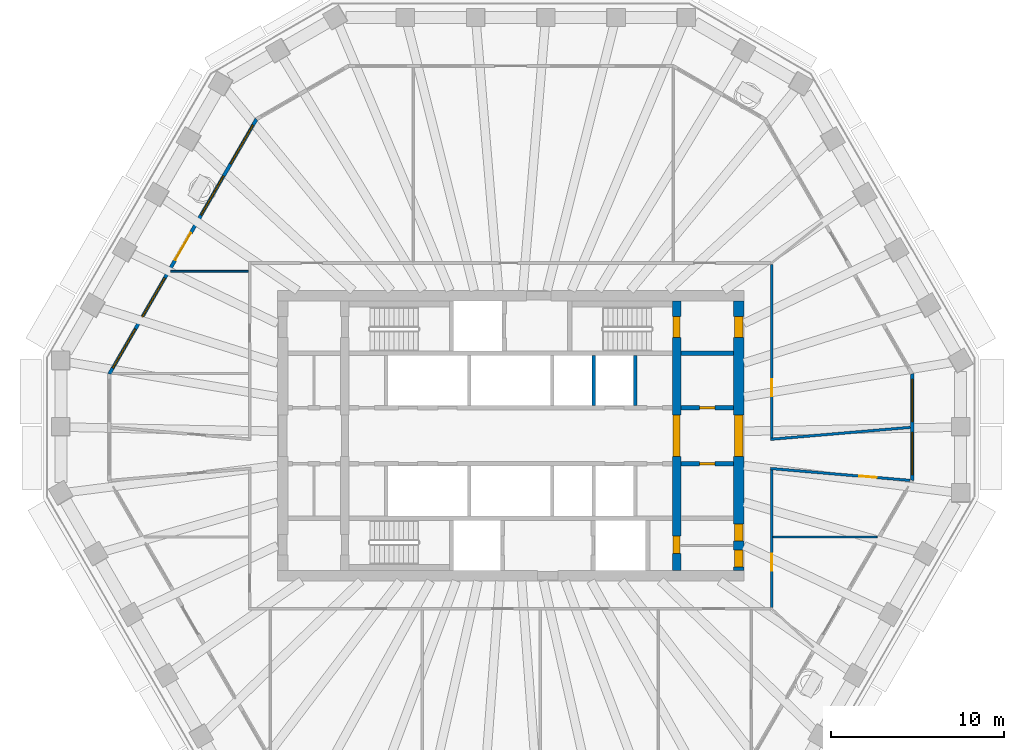
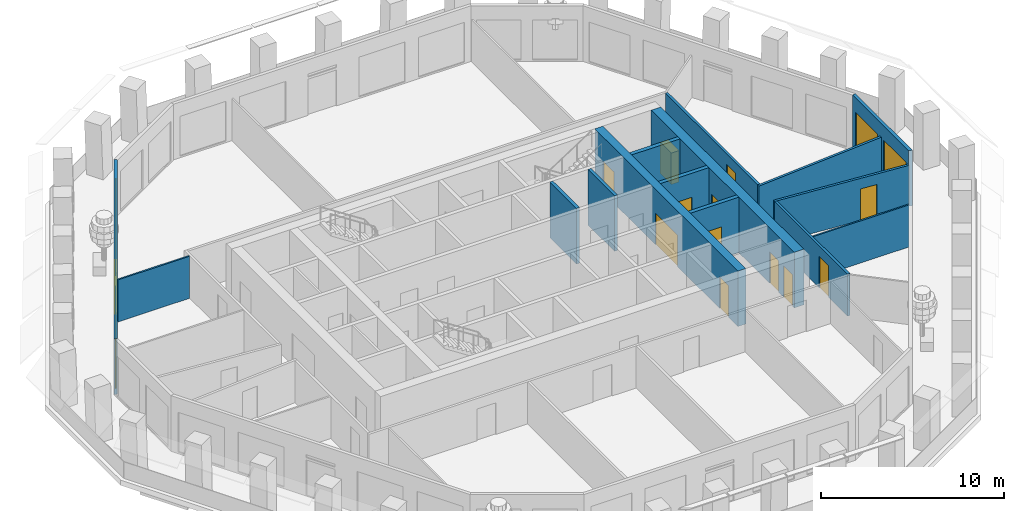
# One storey, part 6 of 12: 15 walls, 13 doors, 7 windows, 20 openings.
"""IFC4 building model written with IfcOpenShell, lengths in metres."""

from ifc_helpers import new_model, si_unit, direction, frame, frame_2d, origin, place, context, subcontext, project, spatial, polyline, rectangle, outline, extrude, material, layer, layer_set, type_object, element, fill, save


model = new_model("IFC4")

# Units and contexts
model_context = context("Model", 3, precision=1e-05, world=origin(), true_north=direction((0.0, 1.0)))
body_context = subcontext(model_context, "Body", "Model", "MODEL_VIEW")
ifc_project = project(units=[si_unit("LENGTHUNIT", "METRE"), si_unit("AREAUNIT", "SQUARE_METRE"), si_unit("VOLUMEUNIT", "CUBIC_METRE"), si_unit("PLANEANGLEUNIT", "RADIAN"), si_unit("MASSUNIT", "GRAM", prefix="KILO")], contexts=[model_context])

# Site, building, storey
site_placement = place(None, origin())
site = spatial("IfcSite", under=ifc_project, at=site_placement, CompositionType="ELEMENT")
building_placement = place(site_placement, origin())
building = spatial("IfcBuilding", under=site, at=building_placement, Name="Frailejon Research Tower", CompositionType="ELEMENT")
storey_placement = place(building_placement, frame((0.0, 0.0, 227.39990234375)))
storey = spatial("IfcBuildingStorey", under=building, at=storey_placement, Name="L49", CompositionType="ELEMENT", Elevation=227.39990234375)

# Wall, openings, doors
ifc_material_1 = material(Name="Concrete C60/75", Category="concrete")
ifc_layer_1 = layer(ifc_material_1, 0.5)
ifc_layer_set_1 = layer_set([ifc_layer_1], Name="Core shear wall 500 C60/75")
wall_type_1 = type_object("IfcWallType", Name="Core shear wall 500 C60/75", PredefinedType="SHEAR", material=ifc_layer_set_1)
wall_1_placement = place(storey_placement, frame((9.60009765625, -7.800048828125, 0.0), z_axis=(0.0, 0.0, 1.0), x_axis=(0.0, 1.0, 0.0)))
wall_1 = element("IfcWall", 1, at=wall_1_placement, inside=storey, type_object=wall_type_1, Name="Core shear wall", PredefinedType="SHEAR", context=body_context, shape_type="SweptSolid", body=[
    extrude(rectangle(XDim=15.60009765625, YDim=0.5, at=frame_2d((7.800048828125, 0.0))), origin(), (0.0, 0.0, 1.0), 3.7001953125),
])
opening_1_placement = place(wall_1_placement, frame((6.60009765625, 0.0, 0.0)))
opening_1 = element("IfcOpeningElement", 2, at=opening_1_placement, cuts=wall_1, Name="Opening D2", PredefinedType="OPENING", context=body_context, shape_type="SweptSolid", body=[
    extrude(rectangle(XDim=2.39990234375, YDim=2.10009765625, at=frame_2d((1.199951171875, 1.050048828125))), frame((0.0, 0.260009765625, 0.0), z_axis=(0.0, -1.0, 0.0), x_axis=(1.0, 0.0, 0.0)), (0.0, 0.0, 1.0), 0.52001953125),
])
opening_2_placement = place(wall_1_placement, frame((13.5, 0.0, 0.0)))
opening_2 = element("IfcOpeningElement", 3, at=opening_2_placement, cuts=wall_1, Name="Opening D1", PredefinedType="OPENING", context=body_context, shape_type="SweptSolid", body=[
    extrude(rectangle(XDim=1.199951171875, YDim=2.10009765625, at=frame_2d((0.60009765625, 1.050048828125))), frame((0.0, 0.260009765625, 0.0), z_axis=(0.0, -1.0, 0.0), x_axis=(1.0, 0.0, 0.0)), (0.0, 0.0, 1.0), 0.52001953125),
])
opening_3_placement = place(wall_1_placement, frame((1.0, 0.0, 0.0)))
opening_3 = element("IfcOpeningElement", 4, at=opening_3_placement, cuts=wall_1, Name="Opening D4", PredefinedType="OPENING", context=body_context, shape_type="SweptSolid", body=[
    extrude(rectangle(XDim=1.0, YDim=2.10009765625, at=frame_2d((0.5, 1.050048828125))), frame((0.0, 0.260009765625, 0.0), z_axis=(0.0, -1.0, 0.0), x_axis=(1.0, 0.0, 0.0)), (0.0, 0.0, 1.0), 0.52001953125),
])
ifc_material_2 = material(Name="Steel", Category="steel")
door_type_1 = type_object("IfcDoorType", Name="Lobby double door", OperationType="DOUBLE_DOOR_SINGLE_SWING", PredefinedType="DOOR", material=ifc_material_2)
door_1_placement = place(opening_1_placement, origin())
door_1 = element("IfcDoor", 5, at=door_1_placement, inside=storey, type_object=door_type_1, Name="Lobby door", OperationType="DOUBLE_DOOR_SINGLE_SWING", OverallHeight=2.10009765625, OverallWidth=2.39990234375, PredefinedType="DOOR", context=body_context, shape_type="SweptSolid", body=[
    extrude(rectangle(XDim=2.39990234375, YDim=2.10009765625, at=frame_2d((1.199951171875, 1.050048828125))), frame((0.0, 0.199951171875, 0.0), z_axis=(0.0, -1.0, 0.0), x_axis=(1.0, 0.0, 0.0)), (0.0, 0.0, 1.0), 0.39990234375),
])
fill(opening_1, door_1)
ifc_material_3 = material(Name="Steel", Category="steel")
door_type_2 = type_object("IfcDoorType", Name="Service door", OperationType="SINGLE_SWING_LEFT", PredefinedType="DOOR", material=ifc_material_3)
door_2_placement = place(opening_3_placement, origin())
door_2 = element("IfcDoor", 6, at=door_2_placement, inside=storey, type_object=door_type_2, Name="Riser door", OperationType="SINGLE_SWING_LEFT", OverallHeight=2.10009765625, OverallWidth=1.0, PredefinedType="DOOR", context=body_context, shape_type="SweptSolid", body=[
    extrude(rectangle(XDim=1.0, YDim=2.10009765625, at=frame_2d((0.5, 1.050048828125))), frame((0.0, 0.199951171875, 0.0), z_axis=(0.0, -1.0, 0.0), x_axis=(1.0, 0.0, 0.0)), (0.0, 0.0, 1.0), 0.39990234375),
])
fill(opening_3, door_2)
ifc_material_4 = material(Name="Steel", Category="steel")
door_type_3 = type_object("IfcDoorType", Name="Stair door", OperationType="SINGLE_SWING_LEFT", PredefinedType="DOOR", material=ifc_material_4)
door_3_placement = place(opening_2_placement, origin())
door_3 = element("IfcDoor", 7, at=door_3_placement, inside=storey, type_object=door_type_3, Name="Stair door ST3", OperationType="SINGLE_SWING_LEFT", OverallHeight=2.10009765625, OverallWidth=1.199951171875, PredefinedType="DOOR", context=body_context, shape_type="SweptSolid", body=[
    extrude(rectangle(XDim=1.199951171875, YDim=2.10009765625, at=frame_2d((0.60009765625, 1.050048828125))), frame((0.0, 0.199951171875, 0.0), z_axis=(0.0, -1.0, 0.0), x_axis=(1.0, 0.0, 0.0)), (0.0, 0.0, 1.0), 0.39990234375),
])
fill(opening_2, door_3)

ifc_material_5 = material(Name="Concrete C60/75", Category="concrete")
ifc_layer_2 = layer(ifc_material_5, 0.60009765625)
ifc_layer_set_2 = layer_set([ifc_layer_2], Name="Core shear wall 600 C60/75")
wall_type_2 = type_object("IfcWallType", Name="Core shear wall 600 C60/75", PredefinedType="SHEAR", material=ifc_layer_set_2)
wall_2_placement = place(storey_placement, frame((13.199951171875, -7.800048828125, 0.0), z_axis=(0.0, 0.0, 1.0), x_axis=(0.0, 1.0, 0.0)))
wall_2 = element("IfcWall", 8, at=wall_2_placement, inside=storey, type_object=wall_type_2, Name="Core shear wall", PredefinedType="SHEAR", context=body_context, shape_type="SweptSolid", body=[
    extrude(rectangle(XDim=15.60009765625, YDim=0.60009765625, at=frame_2d((7.800048828125, 0.0))), origin(), (0.0, 0.0, 1.0), 3.7001953125),
])
opening_4_placement = place(wall_2_placement, frame((6.60009765625, 0.0, 0.0)))
opening_4 = element("IfcOpeningElement", 9, at=opening_4_placement, cuts=wall_2, Name="Opening D2", PredefinedType="OPENING", context=body_context, shape_type="SweptSolid", body=[
    extrude(rectangle(XDim=2.39990234375, YDim=2.10009765625, at=frame_2d((1.199951171875, 1.050048828125))), frame((0.0, 0.31005859375, 0.0), z_axis=(0.0, -1.0, 0.0), x_axis=(1.0, 0.0, 0.0)), (0.0, 0.0, 1.0), 0.6201171875),
])
opening_5_placement = place(wall_2_placement, frame((13.5, 0.0, 0.0)))
opening_5 = element("IfcOpeningElement", 10, at=opening_5_placement, cuts=wall_2, Name="Opening D7", PredefinedType="OPENING", context=body_context, shape_type="SweptSolid", body=[
    extrude(rectangle(XDim=1.199951171875, YDim=2.10009765625, at=frame_2d((0.60009765625, 1.050048828125))), frame((0.0, 0.31005859375, 0.0), z_axis=(0.0, -1.0, 0.0), x_axis=(1.0, 0.0, 0.0)), (0.0, 0.0, 1.0), 0.6201171875),
])
opening_6_placement = place(wall_2_placement, frame((0.19384765625, 0.0, 0.0)))
opening_6 = element("IfcOpeningElement", 11, at=opening_6_placement, cuts=wall_2, Name="Opening D4", PredefinedType="OPENING", context=body_context, shape_type="SweptSolid", body=[
    extrude(rectangle(XDim=1.0, YDim=2.10009765625, at=frame_2d((0.5, 1.050048828125))), frame((0.0, 0.31005859375, 0.0), z_axis=(0.0, -1.0, 0.0), x_axis=(1.0, 0.0, 0.0)), (0.0, 0.0, 1.0), 0.6201171875),
])
opening_7_placement = place(wall_2_placement, frame((1.706298828125, 0.0, 0.0)))
opening_7 = element("IfcOpeningElement", 12, at=opening_7_placement, cuts=wall_2, Name="Opening D4", PredefinedType="OPENING", context=body_context, shape_type="SweptSolid", body=[
    extrude(rectangle(XDim=1.0, YDim=2.10009765625, at=frame_2d((0.5, 1.050048828125))), frame((0.0, 0.31005859375, 0.0), z_axis=(0.0, -1.0, 0.0), x_axis=(1.0, 0.0, 0.0)), (0.0, 0.0, 1.0), 0.6201171875),
])
door_4_placement = place(opening_4_placement, origin())
door_4 = element("IfcDoor", 13, at=door_4_placement, inside=storey, type_object=door_type_1, Name="Lobby door", OperationType="DOUBLE_DOOR_SINGLE_SWING", OverallHeight=2.10009765625, OverallWidth=2.39990234375, PredefinedType="DOOR", context=body_context, shape_type="SweptSolid", body=[
    extrude(rectangle(XDim=2.39990234375, YDim=2.10009765625, at=frame_2d((1.199951171875, 1.050048828125))), frame((0.0, 0.25, 0.0), z_axis=(0.0, -1.0, 0.0), x_axis=(1.0, 0.0, 0.0)), (0.0, 0.0, 1.0), 0.5),
])
fill(opening_4, door_4)
door_5_placement = place(opening_6_placement, origin())
door_5 = element("IfcDoor", 14, at=door_5_placement, inside=storey, type_object=door_type_2, Name="Store door", OperationType="SINGLE_SWING_RIGHT", OverallHeight=2.10009765625, OverallWidth=1.0, PredefinedType="DOOR", context=body_context, shape_type="SweptSolid", body=[
    extrude(rectangle(XDim=1.0, YDim=2.10009765625, at=frame_2d((0.5, 1.050048828125))), frame((0.0, 0.25, 0.0), z_axis=(0.0, -1.0, 0.0), x_axis=(1.0, 0.0, 0.0)), (0.0, 0.0, 1.0), 0.5),
])
fill(opening_6, door_5)
door_6_placement = place(opening_7_placement, origin())
door_6 = element("IfcDoor", 15, at=door_6_placement, inside=storey, type_object=door_type_2, Name="Store door", OperationType="SINGLE_SWING_LEFT", OverallHeight=2.10009765625, OverallWidth=1.0, PredefinedType="DOOR", context=body_context, shape_type="SweptSolid", body=[
    extrude(rectangle(XDim=1.0, YDim=2.10009765625, at=frame_2d((0.5, 1.050048828125))), frame((0.0, 0.25, 0.0), z_axis=(0.0, -1.0, 0.0), x_axis=(1.0, 0.0, 0.0)), (0.0, 0.0, 1.0), 0.5),
])
fill(opening_7, door_6)
ifc_material_6 = material(Name="Steel", Category="steel")
door_type_4 = type_object("IfcDoorType", Name="Stair exit door", OperationType="SINGLE_SWING_LEFT", PredefinedType="DOOR", material=ifc_material_6)
door_7_placement = place(opening_5_placement, origin())
door_7 = element("IfcDoor", 16, at=door_7_placement, inside=storey, type_object=door_type_4, Name="Stair exit door ST3", OperationType="SINGLE_SWING_RIGHT", OverallHeight=2.10009765625, OverallWidth=1.199951171875, PredefinedType="DOOR", context=body_context, shape_type="SweptSolid", body=[
    extrude(rectangle(XDim=1.199951171875, YDim=2.10009765625, at=frame_2d((0.60009765625, 1.050048828125))), frame((0.0, 0.25, 0.0), z_axis=(0.0, -1.0, 0.0), x_axis=(1.0, 0.0, 0.0)), (0.0, 0.0, 1.0), 0.5),
])
fill(opening_5, door_7)

# Wall, opening, door
ifc_material_7 = material(Name="Gypsum board and masonry partition", Category="masonry")
ifc_layer_3 = layer(ifc_material_7, 0.14990234375)
ifc_layer_set_3 = layer_set([ifc_layer_3], Name="Corridor wall EI 60, gypsum on steel studs 150")
wall_type_3 = type_object("IfcWallType", Name="Corridor wall EI 60, gypsum on steel studs 150", PredefinedType="PARTITIONING", material=ifc_layer_set_3)
wall_3_placement = place(storey_placement, frame((15.10009765625, -9.925048828125, 0.0), z_axis=(0.0, 0.0, 1.0), x_axis=(0.0, 1.0, 0.0)))
wall_3 = element("IfcWall", 17, at=wall_3_placement, inside=storey, type_object=wall_type_3, Name="T:IW:L49:001", PredefinedType="PARTITIONING", context=body_context, shape_type="SweptSolid", body=[
    extrude(rectangle(XDim=7.951171875, YDim=0.14990234375, at=frame_2d((3.9755859375, 0.0))), origin(), (0.0, 0.0, 1.0), 2.800048828125),
])
opening_8_placement = place(wall_3_placement, frame((2.104736328125, 0.0, 0.0)))
opening_8 = element("IfcOpeningElement", 18, at=opening_8_placement, cuts=wall_3, Name="Opening D2004", PredefinedType="OPENING", context=body_context, shape_type="SweptSolid", body=[
    extrude(rectangle(XDim=1.0, YDim=2.10009765625, at=frame_2d((0.5, 1.050048828125))), frame((0.0, 0.0849609375, 0.0), z_axis=(0.0, -1.0, 0.0), x_axis=(1.0, 0.0, 0.0)), (0.0, 0.0, 1.0), 0.169921875),
])
ifc_material_8 = material(Name="Timber door leaf", Category="wood")
door_type_5 = type_object("IfcDoorType", Name="Door single leaf, timber, steel frame 1000", OperationType="NOTDEFINED", PredefinedType="DOOR", material=ifc_material_8)
door_8_placement = place(opening_8_placement, origin())
door_8 = element("IfcDoor", 19, at=door_8_placement, inside=storey, type_object=door_type_5, Name="D2004", OperationType="SINGLE_SWING_LEFT", OverallHeight=2.10009765625, OverallWidth=1.0, PredefinedType="DOOR", context=body_context, shape_type="SweptSolid", body=[
    extrude(rectangle(XDim=1.0, YDim=2.10009765625, at=frame_2d((0.5, 1.050048828125))), frame((0.0, 0.02490234375, 0.0), z_axis=(0.0, -1.0, 0.0), x_axis=(1.0, 0.0, 0.0)), (0.0, 0.0, 1.0), 0.050048828125),
])
fill(opening_8, door_8)

wall_4_placement = place(storey_placement, frame((15.10009765625, -0.123779296875, 0.0), z_axis=(0.0, 0.0, 1.0), x_axis=(0.0, 1.0, 0.0)))
wall_4 = element("IfcWall", 20, at=wall_4_placement, inside=storey, type_object=wall_type_3, Name="T:IW:L49:002", PredefinedType="PARTITIONING", context=body_context, shape_type="SweptSolid", body=[
    extrude(rectangle(XDim=10.048828125, YDim=0.14990234375, at=frame_2d((5.0244140625, 0.0))), origin(), (0.0, 0.0, 1.0), 2.800048828125),
])
opening_9_placement = place(wall_4_placement, frame((2.399658203125, 0.0, 0.0)))
opening_9 = element("IfcOpeningElement", 21, at=opening_9_placement, cuts=wall_4, Name="Opening D1991", PredefinedType="OPENING", context=body_context, shape_type="SweptSolid", body=[
    extrude(rectangle(XDim=1.0, YDim=2.10009765625, at=frame_2d((0.5, 1.050048828125))), frame((0.0, 0.0849609375, 0.0), z_axis=(0.0, -1.0, 0.0), x_axis=(1.0, 0.0, 0.0)), (0.0, 0.0, 1.0), 0.169921875),
])
door_9_placement = place(opening_9_placement, origin())
door_9 = element("IfcDoor", 22, at=door_9_placement, inside=storey, type_object=door_type_5, Name="D1991", OperationType="SINGLE_SWING_LEFT", OverallHeight=2.10009765625, OverallWidth=1.0, PredefinedType="DOOR", context=body_context, shape_type="SweptSolid", body=[
    extrude(rectangle(XDim=1.0, YDim=2.10009765625, at=frame_2d((0.5, 1.050048828125))), frame((0.0, 0.02490234375, 0.0), z_axis=(0.0, -1.0, 0.0), x_axis=(1.0, 0.0, 0.0)), (0.0, 0.0, 1.0), 0.050048828125),
])
fill(opening_9, door_9)

# Wall
wall_5_placement = place(storey_placement, frame((15.025390625, -0.205078125, 0.0), z_axis=(0.0, 0.0, 1.0), x_axis=(0.996381249691, 0.084996501481, 0.0)))
element("IfcWall", 23, at=wall_5_placement, inside=storey, type_object=wall_type_3, Name="T:IW:L49:009", PredefinedType="PARTITIONING", context=body_context, shape_type="SweptSolid", body=[
    extrude(rectangle(XDim=8.128662109375, YDim=0.14990234375, at=frame_2d((4.064453125, 0.0))), origin(), (0.0, 0.0, 1.0), 2.800048828125),
])

# Wall, opening, door
wall_6_placement = place(storey_placement, frame((15.025390625, -1.892333984375, 0.0), z_axis=(0.0, 0.0, 1.0), x_axis=(0.9963784944, -0.085028794518, 0.0)))
wall_6 = element("IfcWall", 24, at=wall_6_placement, inside=storey, type_object=wall_type_3, Name="T:IW:L49:010", PredefinedType="PARTITIONING", context=body_context, shape_type="SweptSolid", body=[
    extrude(rectangle(XDim=8.1083984375, YDim=0.14990234375, at=frame_2d((4.05419921875, 0.0))), origin(), (0.0, 0.0, 1.0), 2.800048828125),
])
opening_10_placement = place(wall_6_placement, frame((5.17529296875, 0.0, 0.0)))
opening_10 = element("IfcOpeningElement", 25, at=opening_10_placement, cuts=wall_6, Name="Opening D2005", PredefinedType="OPENING", context=body_context, shape_type="SweptSolid", body=[
    extrude(rectangle(XDim=1.0, YDim=2.10009765625, at=frame_2d((0.5, 1.050048828125))), frame((0.0, 0.0849609375, 0.0), z_axis=(0.0, -1.0, 0.0), x_axis=(1.0, 0.0, 0.0)), (0.0, 0.0, 1.0), 0.169921875),
])
door_10_placement = place(opening_10_placement, origin())
door_10 = element("IfcDoor", 26, at=door_10_placement, inside=storey, type_object=door_type_5, Name="D2005", OperationType="SINGLE_SWING_LEFT", OverallHeight=2.10009765625, OverallWidth=1.0, PredefinedType="DOOR", context=body_context, shape_type="SweptSolid", body=[
    extrude(rectangle(XDim=1.0, YDim=2.10009765625, at=frame_2d((0.5, 1.050048828125))), frame((0.0, 0.02490234375, 0.0), z_axis=(0.0, -1.0, 0.0), x_axis=(1.0, 0.0, 0.0)), (0.0, 0.0, 1.0), 0.050048828125),
])
fill(opening_10, door_10)

# Walls
ifc_material_9 = material(Name="Gypsum board and masonry partition", Category="masonry")
ifc_layer_4 = layer(ifc_material_9, 0.10009765625)
ifc_layer_set_4 = layer_set([ifc_layer_4], Name="Partition, gypsum on steel studs 100")
wall_type_4 = type_object("IfcWallType", Name="Partition, gypsum on steel studs 100", PredefinedType="PARTITIONING", material=ifc_layer_set_4)
wall_7_placement = place(storey_placement, frame((-19.677978515625, 9.522216796875, 0.0), z_axis=(0.0, 0.0, 1.0), x_axis=(1.0, 0.0, 0.0)))
element("IfcWall", 27, at=wall_7_placement, inside=storey, type_object=wall_type_4, Name="T:IW:L49:016", PredefinedType="PARTITIONING", context=body_context, shape_type="SweptSolid", body=[
    extrude(rectangle(XDim=4.5029296875, YDim=0.10009765625, at=frame_2d((2.25146484375, 0.0))), origin(), (0.0, 0.0, 1.0), 2.800048828125),
])
wall_8_placement = place(storey_placement, frame((15.175048828125, -5.8603515625, 0.0), z_axis=(0.0, 0.0, 1.0), x_axis=(1.0, 0.0, 0.0)))
element("IfcWall", 28, at=wall_8_placement, inside=storey, type_object=wall_type_4, Name="T:IW:L49:019", PredefinedType="PARTITIONING", context=body_context, shape_type="SweptSolid", body=[
    extrude(rectangle(XDim=6.03662109375, YDim=0.10009765625, at=frame_2d((3.018310546875, 0.0))), origin(), (0.0, 0.0, 1.0), 2.800048828125),
])
ifc_material_10 = material(Name="Concrete C60/75", Category="concrete")
ifc_layer_5 = layer(ifc_material_10, 0.199951171875)
ifc_layer_set_5 = layer_set([ifc_layer_5], Name="Shaft wall 200 C60/75")
wall_type_5 = type_object("IfcWallType", Name="Shaft wall 200 C60/75", PredefinedType="SOLIDWALL", material=ifc_layer_set_5)
for number, where, z_axis, x_axis, name in (
    (29, (4.800048828125, 1.75, 0.0), (0.0, 0.0, 1.0), (0.0, 1.0, 0.0), "Shaft wall"),
    (30, (7.199951171875, 1.75, 0.0), (0.0, 0.0, 1.0), (0.0, 1.0, 0.0), "Shaft wall"),
):
    element("IfcWall", number, at=place(storey_placement, frame(where, z_axis=z_axis, x_axis=x_axis)), inside=storey, type_object=wall_type_5, Name=name, PredefinedType="SOLIDWALL", context=body_context, shape_type="SweptSolid", body=[
        extrude(rectangle(XDim=2.89990234375, YDim=0.199951171875, at=frame_2d((1.449951171875, 0.0))), origin(), (0.0, 0.0, 1.0), 3.7001953125),
    ])

# Wall, opening, door
ifc_material_11 = material(Name="Concrete C60/75", Category="concrete")
ifc_layer_6 = layer(ifc_material_11, 0.25)
ifc_layer_set_6 = layer_set([ifc_layer_6], Name="Shaft wall 250 C60/75")
wall_type_6 = type_object("IfcWallType", Name="Shaft wall 250 C60/75", PredefinedType="SOLIDWALL", material=ifc_layer_set_6)
wall_9_placement = place(storey_placement, frame((9.85009765625, 1.625, 0.0), z_axis=(0.0, 0.0, 1.0), x_axis=(1.0, 0.0, 0.0)))
wall_9 = element("IfcWall", 31, at=wall_9_placement, inside=storey, type_object=wall_type_6, Name="Shaft wall", PredefinedType="SOLIDWALL", context=body_context, shape_type="SweptSolid", body=[
    extrude(rectangle(XDim=3.0498046875, YDim=0.25, at=frame_2d((1.52490234375, 0.0))), origin(), (0.0, 0.0, 1.0), 3.7001953125),
])
opening_11_placement = place(wall_9_placement, frame((1.074951171875, 0.0, 0.0)))
opening_11 = element("IfcOpeningElement", 32, at=opening_11_placement, cuts=wall_9, Name="Opening D8", PredefinedType="OPENING", context=body_context, shape_type="SweptSolid", body=[
    extrude(rectangle(XDim=0.89990234375, YDim=2.10009765625, at=frame_2d((0.449951171875, 1.050048828125))), frame((0.0, 0.135009765625, 0.0), z_axis=(0.0, -1.0, 0.0), x_axis=(1.0, 0.0, 0.0)), (0.0, 0.0, 1.0), 0.27001953125),
])
ifc_material_12 = material(Name="Steel", Category="steel")
door_type_6 = type_object("IfcDoorType", Name="Core room door", OperationType="SINGLE_SWING_LEFT", PredefinedType="DOOR", material=ifc_material_12)
door_11_placement = place(opening_11_placement, origin())
door_11 = element("IfcDoor", 33, at=door_11_placement, inside=storey, type_object=door_type_6, Name="Room door", OperationType="SINGLE_SWING_RIGHT", OverallHeight=2.10009765625, OverallWidth=0.89990234375, PredefinedType="DOOR", context=body_context, shape_type="SweptSolid", body=[
    extrude(rectangle(XDim=0.89990234375, YDim=2.10009765625, at=frame_2d((0.449951171875, 1.050048828125))), frame((0.0, 0.074951171875, 0.0), z_axis=(0.0, -1.0, 0.0), x_axis=(1.0, 0.0, 0.0)), (0.0, 0.0, 1.0), 0.14990234375),
])
fill(opening_11, door_11)

# Wall
wall_10_placement = place(storey_placement, frame((9.85009765625, 4.77490234375, 0.0), z_axis=(0.0, 0.0, 1.0), x_axis=(1.0, 0.0, 0.0)))
element("IfcWall", 34, at=wall_10_placement, inside=storey, type_object=wall_type_6, Name="Shaft wall", PredefinedType="SOLIDWALL", context=body_context, shape_type="SweptSolid", body=[
    extrude(rectangle(XDim=3.0498046875, YDim=0.25, at=frame_2d((1.52490234375, 0.0))), origin(), (0.0, 0.0, 1.0), 3.7001953125),
])

# Wall, opening, door
wall_11_placement = place(storey_placement, frame((9.85009765625, -1.625, 0.0), z_axis=(0.0, 0.0, 1.0), x_axis=(1.0, 0.0, 0.0)))
wall_11 = element("IfcWall", 35, at=wall_11_placement, inside=storey, type_object=wall_type_6, Name="Shaft wall", PredefinedType="SOLIDWALL", context=body_context, shape_type="SweptSolid", body=[
    extrude(rectangle(XDim=3.0498046875, YDim=0.25, at=frame_2d((1.52490234375, 0.0))), origin(), (0.0, 0.0, 1.0), 3.7001953125),
])
opening_12_placement = place(wall_11_placement, frame((1.074951171875, 0.0, 0.0)))
opening_12 = element("IfcOpeningElement", 36, at=opening_12_placement, cuts=wall_11, Name="Opening D8", PredefinedType="OPENING", context=body_context, shape_type="SweptSolid", body=[
    extrude(rectangle(XDim=0.89990234375, YDim=2.10009765625, at=frame_2d((0.449951171875, 1.050048828125))), frame((0.0, 0.135009765625, 0.0), z_axis=(0.0, -1.0, 0.0), x_axis=(1.0, 0.0, 0.0)), (0.0, 0.0, 1.0), 0.27001953125),
])
door_12_placement = place(opening_12_placement, origin())
door_12 = element("IfcDoor", 37, at=door_12_placement, inside=storey, type_object=door_type_6, Name="Room door", OperationType="SINGLE_SWING_LEFT", OverallHeight=2.10009765625, OverallWidth=0.89990234375, PredefinedType="DOOR", context=body_context, shape_type="SweptSolid", body=[
    extrude(rectangle(XDim=0.89990234375, YDim=2.10009765625, at=frame_2d((0.449951171875, 1.050048828125))), frame((0.0, 0.074951171875, 0.0), z_axis=(0.0, -1.0, 0.0), x_axis=(1.0, 0.0, 0.0)), (0.0, 0.0, 1.0), 0.14990234375),
])
fill(opening_12, door_12)

# Wall, openings, windows
ifc_material_13 = material(Name="Concrete C40/50 precast window wall panel", Category="concrete")
ifc_layer_7 = layer(ifc_material_13, 0.199951171875)
ifc_layer_set_7 = layer_set([ifc_layer_7], Name="Window wall 200")
wall_type_7 = type_object("IfcWallType", Name="Window wall 200", PredefinedType="SOLIDWALL", material=ifc_layer_set_7)
wall_12_placement = place(storey_placement, frame((23.224609375, -2.573486328125, 0.0), z_axis=(0.0, 0.0, 1.0), x_axis=(0.0, 1.0, 0.0)))
wall_12 = element("IfcWall", 38, at=wall_12_placement, inside=storey, type_object=wall_type_7, Name="Exterior wall L49", PredefinedType="SOLIDWALL", context=body_context, shape_type="SweptSolid", body=[
    extrude(outline(polyline([(-0.02685546875, -0.10009765625), (1.007568359375, -0.10009765625), (2.0419921875, -0.10009765625), (3.076416015625, -0.10009765625), (4.11083984375, -0.10009765625), (5.145263671875, -0.10009765625), (6.1796875, -0.10009765625), (6.1259765625, 0.10009765625), (5.109375, 0.10009765625), (4.093017578125, 0.10009765625), (3.076416015625, 0.10009765625), (2.059814453125, 0.10009765625), (1.04345703125, 0.10009765625), (0.02685546875, 0.10009765625), (-0.02685546875, -0.10009765625)])), origin(), (0.0, 0.0, 1.0), 3.7001953125),
])
opening_13_placement = place(wall_12_placement, frame((0.313232421875, 0.0, 0.10009765625)))
opening_13 = element("IfcOpeningElement", 39, at=opening_13_placement, cuts=wall_12, Name="Opening W17", PredefinedType="OPENING", context=body_context, shape_type="SweptSolid", body=[
    extrude(rectangle(XDim=2.449951171875, YDim=2.64990234375, at=frame_2d((1.22509765625, 1.324951171875))), frame((0.0, 0.10986328125, 0.0), z_axis=(0.0, -1.0, 0.0), x_axis=(1.0, 0.0, 0.0)), (0.0, 0.0, 1.0), 0.219970703125),
])
opening_14_placement = place(wall_12_placement, frame((3.3896484375, 0.0, 0.10009765625)))
opening_14 = element("IfcOpeningElement", 40, at=opening_14_placement, cuts=wall_12, Name="Opening W17", PredefinedType="OPENING", context=body_context, shape_type="SweptSolid", body=[
    extrude(rectangle(XDim=2.449951171875, YDim=2.64990234375, at=frame_2d((1.22509765625, 1.324951171875))), frame((0.0, 0.10986328125, 0.0), z_axis=(0.0, -1.0, 0.0), x_axis=(1.0, 0.0, 0.0)), (0.0, 0.0, 1.0), 0.219970703125),
])
ifc_material_14 = material(Name="Aluminium framed double glazing", Category="aluminium")
window_type_1 = type_object("IfcWindowType", Name="Window 2450x2650", PartitioningType="SINGLE_PANEL", PredefinedType="WINDOW", material=ifc_material_14)
window_1_placement = place(opening_13_placement, origin())
window_1 = element("IfcWindow", 41, at=window_1_placement, inside=storey, type_object=window_type_1, Name="Window L49", OverallHeight=2.64990234375, OverallWidth=2.449951171875, PartitioningType="SINGLE_PANEL", PredefinedType="WINDOW", context=body_context, shape_type="SweptSolid", body=[
    extrude(rectangle(XDim=2.449951171875, YDim=2.64990234375, at=frame_2d((1.22509765625, 1.324951171875))), frame((0.0, 0.030029296875, 0.0), z_axis=(0.0, -1.0, 0.0), x_axis=(1.0, 0.0, 0.0)), (0.0, 0.0, 1.0), 0.06005859375),
])
fill(opening_13, window_1)
window_2_placement = place(opening_14_placement, origin())
window_2 = element("IfcWindow", 42, at=window_2_placement, inside=storey, type_object=window_type_1, Name="Window L49", OverallHeight=2.64990234375, OverallWidth=2.449951171875, PartitioningType="SINGLE_PANEL", PredefinedType="WINDOW", context=body_context, shape_type="SweptSolid", body=[
    extrude(rectangle(XDim=2.449951171875, YDim=2.64990234375, at=frame_2d((1.22509765625, 1.324951171875))), frame((0.0, 0.030029296875, 0.0), z_axis=(0.0, -1.0, 0.0), x_axis=(1.0, 0.0, 0.0)), (0.0, 0.0, 1.0), 0.06005859375),
])
fill(opening_14, window_2)

# Wall, openings, door, windows
wall_13_placement = place(storey_placement, frame((-14.712158203125, 18.323486328125, 0.0), z_axis=(0.0, 0.0, 1.0), x_axis=(-0.499996370621, -0.866027499197, 0.0)))
wall_13 = element("IfcWall", 43, at=wall_13_placement, inside=storey, type_object=wall_type_7, Name="Exterior wall L49", PredefinedType="SOLIDWALL", context=body_context, shape_type="SweptSolid", body=[
    extrude(outline(polyline([(-0.02685546875, -0.10009765625), (0.977783203125, -0.10009765625), (1.982421875, -0.10009765625), (2.987060546875, -0.10009765625), (3.99169921875, -0.10009765625), (4.996337890625, -0.10009765625), (6.0009765625, -0.10009765625), (7.005615234375, -0.10009765625), (8.01025390625, -0.10009765625), (9.014892578125, -0.10009765625), (10.01953125, -0.10009765625), (11.024169921875, -0.10009765625), (12.02880859375, -0.10009765625), (13.033447265625, -0.10009765625), (14.0380859375, -0.10009765625), (15.042724609375, -0.10009765625), (16.04736328125, -0.10009765625), (17.052001953125, -0.10009765625), (16.998291015625, 0.10009765625), (16.0, 0.10009765625), (15.001708984375, 0.10009765625), (14.00341796875, 0.10009765625), (13.005126953125, 0.10009765625), (12.006591796875, 0.10009765625), (11.00830078125, 0.10009765625), (10.010009765625, 0.10009765625), (9.01171875, 0.10009765625), (8.013427734375, 0.10009765625), (7.01513671875, 0.10009765625), (6.016845703125, 0.10009765625), (5.0185546875, 0.10009765625), (4.02001953125, 0.10009765625), (3.021728515625, 0.10009765625), (2.0234375, 0.10009765625), (1.025146484375, 0.10009765625), (0.02685546875, 0.10009765625), (-0.02685546875, -0.10009765625)])), origin(), (0.0, 0.0, 1.0), 3.7001953125),
])
opening_15_placement = place(wall_13_placement, frame((0.402587890625, 0.0, 0.10009765625)))
opening_15 = element("IfcOpeningElement", 44, at=opening_15_placement, cuts=wall_13, Name="Opening W18", PredefinedType="OPENING", context=body_context, shape_type="SweptSolid", body=[
    extrude(rectangle(XDim=2.60009765625, YDim=2.64990234375, at=frame_2d((1.300048828125, 1.324951171875))), frame((0.0, 0.10986328125, 0.0), z_axis=(0.0, -1.0, 0.0), x_axis=(1.0, 0.0, 0.0)), (0.0, 0.0, 1.0), 0.219970703125),
])
opening_16_placement = place(wall_13_placement, frame((3.8076171875, 0.0, 0.10009765625)))
opening_16 = element("IfcOpeningElement", 45, at=opening_16_placement, cuts=wall_13, Name="Opening W18", PredefinedType="OPENING", context=body_context, shape_type="SweptSolid", body=[
    extrude(rectangle(XDim=2.60009765625, YDim=2.64990234375, at=frame_2d((1.300048828125, 1.324951171875))), frame((0.0, 0.10986328125, 0.0), z_axis=(0.0, -1.0, 0.0), x_axis=(1.0, 0.0, 0.0)), (0.0, 0.0, 1.0), 0.219970703125),
])
opening_17_placement = place(wall_13_placement, frame((7.612548828125, 0.0, 0.0)))
opening_17 = element("IfcOpeningElement", 46, at=opening_17_placement, cuts=wall_13, Name="Opening LG49-3", PredefinedType="OPENING", context=body_context, shape_type="SweptSolid", body=[
    extrude(rectangle(XDim=1.800048828125, YDim=2.39990234375, at=frame_2d((0.89990234375, 1.199951171875))), frame((0.0, 0.10986328125, 0.0), z_axis=(0.0, -1.0, 0.0), x_axis=(1.0, 0.0, 0.0)), (0.0, 0.0, 1.0), 0.219970703125),
])
opening_18_placement = place(wall_13_placement, frame((7.612548828125, 0.0, 2.550048828125)))
opening_18 = element("IfcOpeningElement", 47, at=opening_18_placement, cuts=wall_13, Name="Opening W19", PredefinedType="OPENING", context=body_context, shape_type="SweptSolid", body=[
    extrude(rectangle(XDim=1.800048828125, YDim=0.199951171875, at=frame_2d((0.89990234375, 0.10009765625))), frame((0.0, 0.10986328125, 0.0), z_axis=(0.0, -1.0, 0.0), x_axis=(1.0, 0.0, 0.0)), (0.0, 0.0, 1.0), 0.219970703125),
])
opening_19_placement = place(wall_13_placement, frame((10.61767578125, 0.0, 0.10009765625)))
opening_19 = element("IfcOpeningElement", 48, at=opening_19_placement, cuts=wall_13, Name="Opening W18", PredefinedType="OPENING", context=body_context, shape_type="SweptSolid", body=[
    extrude(rectangle(XDim=2.60009765625, YDim=2.64990234375, at=frame_2d((1.300048828125, 1.324951171875))), frame((0.0, 0.10986328125, 0.0), z_axis=(0.0, -1.0, 0.0), x_axis=(1.0, 0.0, 0.0)), (0.0, 0.0, 1.0), 0.219970703125),
])
opening_20_placement = place(wall_13_placement, frame((14.022705078125, 0.0, 0.10009765625)))
opening_20 = element("IfcOpeningElement", 49, at=opening_20_placement, cuts=wall_13, Name="Opening W18", PredefinedType="OPENING", context=body_context, shape_type="SweptSolid", body=[
    extrude(rectangle(XDim=2.60009765625, YDim=2.64990234375, at=frame_2d((1.300048828125, 1.324951171875))), frame((0.0, 0.10986328125, 0.0), z_axis=(0.0, -1.0, 0.0), x_axis=(1.0, 0.0, 0.0)), (0.0, 0.0, 1.0), 0.219970703125),
])
ifc_material_15 = material(Name="Aluminium framed glazed door leaf", Category="aluminium")
door_type_7 = type_object("IfcDoorType", Name="Loggia door 1800x2400", OperationType="DOUBLE_DOOR_SINGLE_SWING", PredefinedType="DOOR", material=ifc_material_15)
door_13_placement = place(opening_17_placement, origin())
door_13 = element("IfcDoor", 50, at=door_13_placement, inside=storey, type_object=door_type_7, Name="Door LG49-3", OperationType="DOUBLE_DOOR_SINGLE_SWING", OverallHeight=2.39990234375, OverallWidth=1.800048828125, PredefinedType="DOOR", context=body_context, shape_type="SweptSolid", body=[
    extrude(rectangle(XDim=1.800048828125, YDim=2.39990234375, at=frame_2d((0.89990234375, 1.199951171875))), frame((0.0, 0.02490234375, 0.0), z_axis=(0.0, -1.0, 0.0), x_axis=(1.0, 0.0, 0.0)), (0.0, 0.0, 1.0), 0.050048828125),
])
fill(opening_17, door_13)
ifc_material_16 = material(Name="Aluminium framed double glazing", Category="aluminium")
window_type_2 = type_object("IfcWindowType", Name="Window 1800x200", PartitioningType="SINGLE_PANEL", PredefinedType="WINDOW", material=ifc_material_16)
window_3_placement = place(opening_18_placement, origin())
window_3 = element("IfcWindow", 51, at=window_3_placement, inside=storey, type_object=window_type_2, Name="Window L49", OverallHeight=0.199951171875, OverallWidth=1.800048828125, PartitioningType="SINGLE_PANEL", PredefinedType="WINDOW", context=body_context, shape_type="SweptSolid", body=[
    extrude(rectangle(XDim=1.800048828125, YDim=0.199951171875, at=frame_2d((0.89990234375, 0.10009765625))), frame((0.0, 0.030029296875, 0.0), z_axis=(0.0, -1.0, 0.0), x_axis=(1.0, 0.0, 0.0)), (0.0, 0.0, 1.0), 0.06005859375),
])
fill(opening_18, window_3)
ifc_material_17 = material(Name="Aluminium framed double glazing", Category="aluminium")
window_type_3 = type_object("IfcWindowType", Name="Window 2600x2650", PartitioningType="SINGLE_PANEL", PredefinedType="WINDOW", material=ifc_material_17)
window_4_placement = place(opening_15_placement, origin())
window_4 = element("IfcWindow", 52, at=window_4_placement, inside=storey, type_object=window_type_3, Name="Window L49", OverallHeight=2.64990234375, OverallWidth=2.60009765625, PartitioningType="SINGLE_PANEL", PredefinedType="WINDOW", context=body_context, shape_type="SweptSolid", body=[
    extrude(rectangle(XDim=2.60009765625, YDim=2.64990234375, at=frame_2d((1.300048828125, 1.324951171875))), frame((0.0, 0.030029296875, 0.0), z_axis=(0.0, -1.0, 0.0), x_axis=(1.0, 0.0, 0.0)), (0.0, 0.0, 1.0), 0.06005859375),
])
fill(opening_15, window_4)
window_5_placement = place(opening_16_placement, origin())
window_5 = element("IfcWindow", 53, at=window_5_placement, inside=storey, type_object=window_type_3, Name="Window L49", OverallHeight=2.64990234375, OverallWidth=2.60009765625, PartitioningType="SINGLE_PANEL", PredefinedType="WINDOW", context=body_context, shape_type="SweptSolid", body=[
    extrude(rectangle(XDim=2.60009765625, YDim=2.64990234375, at=frame_2d((1.300048828125, 1.324951171875))), frame((0.0, 0.030029296875, 0.0), z_axis=(0.0, -1.0, 0.0), x_axis=(1.0, 0.0, 0.0)), (0.0, 0.0, 1.0), 0.06005859375),
])
fill(opening_16, window_5)
window_6_placement = place(opening_19_placement, origin())
window_6 = element("IfcWindow", 54, at=window_6_placement, inside=storey, type_object=window_type_3, Name="Window L49", OverallHeight=2.64990234375, OverallWidth=2.60009765625, PartitioningType="SINGLE_PANEL", PredefinedType="WINDOW", context=body_context, shape_type="SweptSolid", body=[
    extrude(rectangle(XDim=2.60009765625, YDim=2.64990234375, at=frame_2d((1.300048828125, 1.324951171875))), frame((0.0, 0.030029296875, 0.0), z_axis=(0.0, -1.0, 0.0), x_axis=(1.0, 0.0, 0.0)), (0.0, 0.0, 1.0), 0.06005859375),
])
fill(opening_19, window_6)
window_7_placement = place(opening_20_placement, origin())
window_7 = element("IfcWindow", 55, at=window_7_placement, inside=storey, type_object=window_type_3, Name="Window L49", OverallHeight=2.64990234375, OverallWidth=2.60009765625, PartitioningType="SINGLE_PANEL", PredefinedType="WINDOW", context=body_context, shape_type="SweptSolid", body=[
    extrude(rectangle(XDim=2.60009765625, YDim=2.64990234375, at=frame_2d((1.300048828125, 1.324951171875))), frame((0.0, 0.030029296875, 0.0), z_axis=(0.0, -1.0, 0.0), x_axis=(1.0, 0.0, 0.0)), (0.0, 0.0, 1.0), 0.06005859375),
])
fill(opening_20, window_7)

save(model, "model.ifc")
